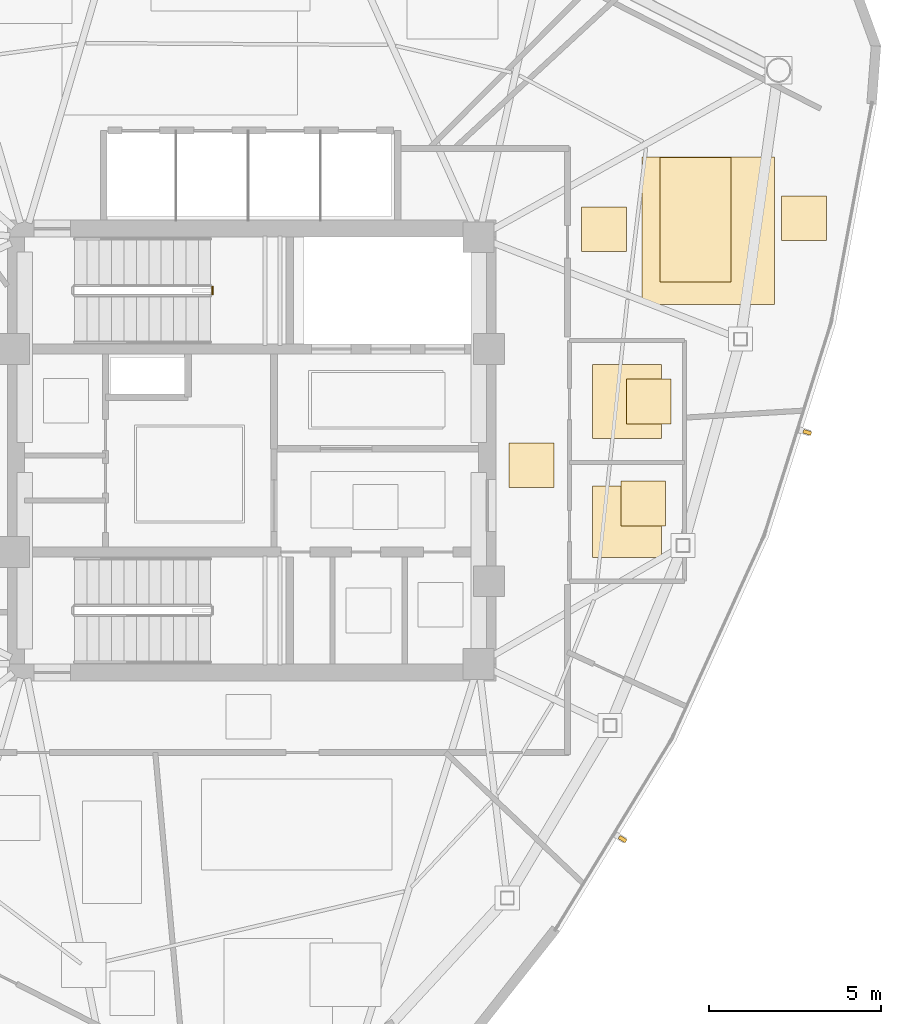
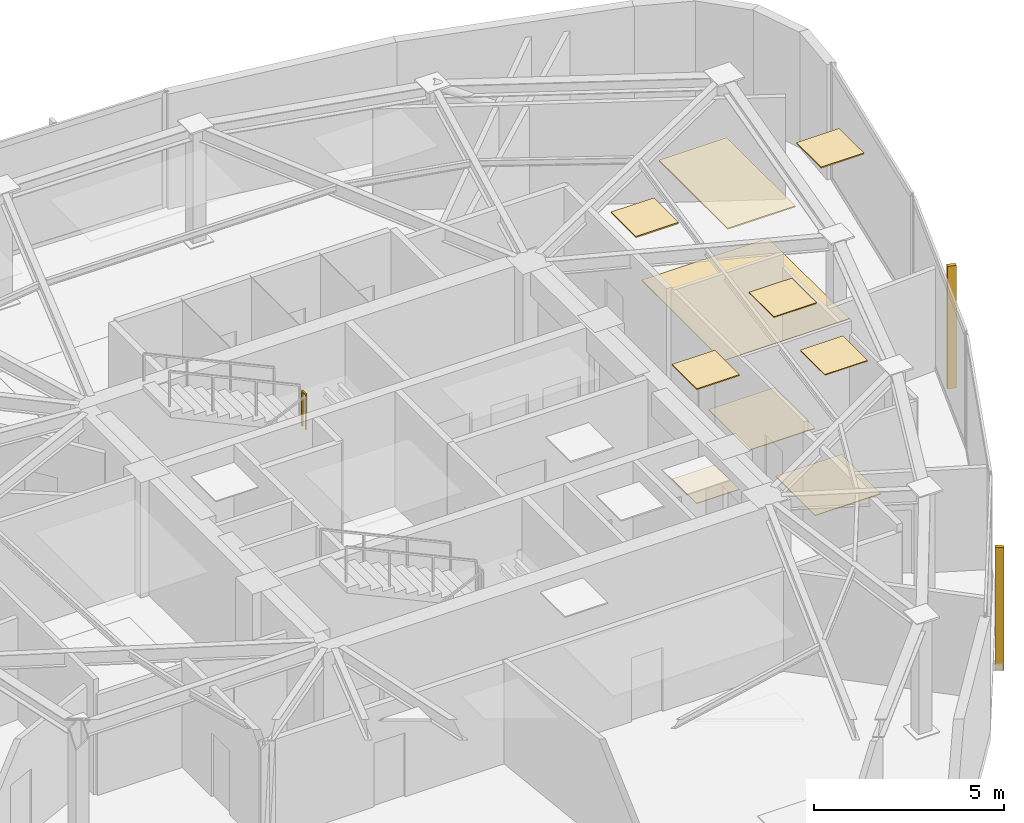
# One storey, part 12 of 13: 10 coverings, 2 shading devices, 1 railing.
"""IFC4 building model written with IfcOpenShell, lengths in metres."""

from ifc_helpers import new_model, si_unit, direction, frame, origin, origin_2d, place, context, subcontext, project, spatial, polyline, rectangle, outline, extrude, source, transform, mapped, material, layer, layer_set, type_object, type_shapes, element, save


model = new_model("IFC4")

# Units and contexts
model_context = context("Model", 3, precision=1e-05, world=origin(), true_north=direction((0.0, 1.0)))
body_context = subcontext(model_context, "Body", "Model", "MODEL_VIEW")
ifc_project = project(units=[si_unit("LENGTHUNIT", "METRE"), si_unit("AREAUNIT", "SQUARE_METRE"), si_unit("VOLUMEUNIT", "CUBIC_METRE"), si_unit("PLANEANGLEUNIT", "RADIAN"), si_unit("MASSUNIT", "GRAM", prefix="KILO")], contexts=[model_context])

# Site, building, storey
site_placement = place(None, origin())
site = spatial("IfcSite", under=ifc_project, at=site_placement, CompositionType="ELEMENT")
building_placement = place(site_placement, origin())
building = spatial("IfcBuilding", under=site, at=building_placement, Name="Tavelor Broadcast Tower", CompositionType="ELEMENT")
storey_placement = place(building_placement, frame((0.0, 0.0, 305.5)))
storey = spatial("IfcBuildingStorey", under=building, at=storey_placement, Name="L73", CompositionType="ELEMENT", Elevation=305.5)

# Coverings
ifc_material_1 = material(Name="Architectural Anodized Aluminium", Category="aluminium")
ifc_layer_1 = layer(ifc_material_1, 0.034912109375)
ifc_layer_set_1 = layer_set([ifc_layer_1], Name="Architectural Anodized Aluminium")
covering_type_1 = type_object("IfcCoveringType", Name="Demountable Metal Tile Corridor Ceiling 35 mm", PredefinedType="CEILING", material=ifc_layer_set_1)
covering_1_placement = place(storey_placement, frame((0.0, 0.0, 3.6650390625)))
element("IfcCovering", 1, at=covering_1_placement, inside=storey, type_object=covering_type_1, Name="L73 Suspended Acoustic Ceiling 2769", PredefinedType="CEILING", context=body_context, shape_type="SweptSolid", body=[
    extrude(outline(polyline([(57.489990234375, 43.925048828125), (58.7900390625, 43.925048828125), (58.7900390625, 45.22509765625), (57.489990234375, 45.22509765625), (57.489990234375, 43.925048828125)])), origin(), (0.0, 0.0, 1.0), 0.034912109375),
])
ifc_material_2 = material(Name="Acoustic Nylon Carpet Tile")
ifc_layer_2 = layer(ifc_material_2, 0.02001953125)
ifc_layer_set_2 = layer_set([ifc_layer_2], Name="Acoustic Nylon Carpet Tile")
covering_type_2 = type_object("IfcCoveringType", Name="Heavy-Duty Acoustic Broadcast Carpet Tile 20 mm", PredefinedType="FLOORING", material=ifc_layer_set_2)
covering_2_placement = place(storey_placement, origin())
element("IfcCovering", 2, at=covering_2_placement, inside=storey, type_object=covering_type_2, Name="L73 Broadcast Floor Finish 1087", PredefinedType="FLOORING", context=body_context, shape_type="SweptSolid", body=[
    extrude(outline(polyline([(57.489990234375, 43.925048828125), (58.7900390625, 43.925048828125), (58.7900390625, 45.22509765625), (57.489990234375, 45.22509765625), (57.489990234375, 43.925048828125)])), origin(), (0.0, 0.0, 1.0), 0.02001953125),
])
covering_3_placement = place(storey_placement, origin())
element("IfcCovering", 3, at=covering_3_placement, inside=storey, type_object=covering_type_2, Name="L73 Broadcast Floor Finish 1097", PredefinedType="FLOORING", context=body_context, shape_type="SweptSolid", body=[
    extrude(outline(polyline([(61.353515625, 49.24951171875), (65.205810546875, 49.24951171875), (65.205810546875, 53.528564453125), (61.353515625, 53.528564453125), (61.353515625, 49.24951171875)])), origin(), (0.0, 0.0, 1.0), 0.02001953125),
])
ifc_layer_3 = layer(ifc_material_1, 0.030029296875)
ifc_layer_set_3 = layer_set([ifc_layer_3], Name="Architectural Anodized Aluminium")
covering_type_3 = type_object("IfcCoveringType", Name="Moisture-Resistant Washroom Ceiling 30 mm", PredefinedType="CEILING", material=ifc_layer_set_3)
covering_4_placement = place(storey_placement, frame((0.0, 0.0, 3.669921875)))
element("IfcCovering", 4, at=covering_4_placement, inside=storey, type_object=covering_type_3, Name="L73 Suspended Acoustic Ceiling 2772", PredefinedType="CEILING", context=body_context, shape_type="SweptSolid", body=[
    extrude(outline(polyline([(60.739013671875, 42.806884765625), (62.0390625, 42.806884765625), (62.0390625, 44.106689453125), (60.739013671875, 44.106689453125), (60.739013671875, 42.806884765625)])), origin(), (0.0, 0.0, 1.0), 0.030029296875),
])
covering_5_placement = place(storey_placement, frame((0.0, 0.0, 3.669921875)))
element("IfcCovering", 5, at=covering_5_placement, inside=storey, type_object=covering_type_3, Name="L73 Suspended Acoustic Ceiling 2773", PredefinedType="CEILING", context=body_context, shape_type="SweptSolid", body=[
    extrude(outline(polyline([(60.898681640625, 45.77490234375), (62.19873046875, 45.77490234375), (62.19873046875, 47.074951171875), (60.898681640625, 47.074951171875), (60.898681640625, 45.77490234375)])), origin(), (0.0, 0.0, 1.0), 0.030029296875),
])
ifc_material_3 = material(Name="Slip-Resistant Porcelain Tile")
ifc_layer_4 = layer(ifc_material_3, 0.02490234375)
ifc_layer_set_4 = layer_set([ifc_layer_4], Name="Slip-Resistant Porcelain Tile")
covering_type_4 = type_object("IfcCoveringType", Name="Slip-Resistant Porcelain Wet-Area Floor Tile 25 mm", PredefinedType="FLOORING", material=ifc_layer_set_4)
covering_6_placement = place(storey_placement, origin())
element("IfcCovering", 6, at=covering_6_placement, inside=storey, type_object=covering_type_4, Name="L73 Broadcast Floor Finish 1089", PredefinedType="FLOORING", context=body_context, shape_type="SweptSolid", body=[
    extrude(outline(polyline([(59.91064453125, 41.885986328125), (61.909423828125, 41.885986328125), (61.909423828125, 43.964111328125), (59.91064453125, 43.964111328125), (59.91064453125, 41.885986328125)])), origin(), (0.0, 0.0, 1.0), 0.02490234375),
])
covering_7_placement = place(storey_placement, origin())
element("IfcCovering", 7, at=covering_7_placement, inside=storey, type_object=covering_type_4, Name="L73 Broadcast Floor Finish 1090", PredefinedType="FLOORING", context=body_context, shape_type="SweptSolid", body=[
    extrude(outline(polyline([(59.91064453125, 45.35009765625), (61.909423828125, 45.35009765625), (61.909423828125, 47.5), (59.91064453125, 47.5), (59.91064453125, 45.35009765625)])), origin(), (0.0, 0.0, 1.0), 0.02490234375),
])

# Railing
ifc_material_4 = material(Name="Steel S355", Category="steel")
railing_type = type_object("IfcRailingType", Name="Stairwell Steel Safety Guardrail 1150 mm", PredefinedType="GUARDRAIL", material=ifc_material_4)
railing_placement = place(storey_placement, frame((48.860107421875, 49.550048828125, 2.0)))
element("IfcRailing", 8, at=railing_placement, inside=storey, type_object=railing_type, Name="L73 ST1 stair guard 2", PredefinedType="GUARDRAIL", context=body_context, shape_type="SweptSolid", body=[
    extrude(rectangle(XDim=0.048095703125, YDim=0.048095703125, at=origin_2d()), frame((0.0, 0.0, 1.1259765625), z_axis=(0.0, 1.0, 0.0), x_axis=(-1.0, 0.0, 0.0)), (0.0, 0.0, 1.0), 0.199951171875),
    extrude(rectangle(XDim=0.0419921875, YDim=0.0419921875, at=origin_2d()), origin(), (0.0, 0.0, 1.0), 1.101806640625),
    extrude(rectangle(XDim=0.0419921875, YDim=0.0419921875, at=origin_2d()), frame((0.0, 0.199951171875, 0.0)), (0.0, 0.0, 1.0), 1.101806640625),
])

# Coverings
ifc_material_5 = material(Name="Acoustic Mineral Fibre Tile")
ifc_layer_5 = layer(ifc_material_5, 0.0400390625)
ifc_layer_set_5 = layer_set([ifc_layer_5], Name="Acoustic Mineral Fibre Tile")
covering_type_5 = type_object("IfcCoveringType", Name="Suspended Acoustic Mineral-Fibre Office Ceiling 40 mm", PredefinedType="CEILING", material=ifc_layer_set_5)
covering_8_placement = place(storey_placement, frame((0.0, 0.0, 3.659912109375)))
element("IfcCovering", 9, at=covering_8_placement, inside=storey, type_object=covering_type_5, Name="L73 Suspended Acoustic Ceiling 2789", PredefinedType="CEILING", context=body_context, shape_type="SweptSolid", body=[
    extrude(outline(polyline([(61.876220703125, 49.8955078125), (63.9375, 49.8955078125), (63.9375, 53.515380859375), (61.876220703125, 53.515380859375), (61.876220703125, 49.8955078125)])), origin(), (0.0, 0.0, 1.0), 0.0400390625),
])
covering_9_placement = place(storey_placement, frame((0.0, 0.0, 3.659912109375)))
element("IfcCovering", 10, at=covering_9_placement, inside=storey, type_object=covering_type_5, Name="L73 Suspended Acoustic Ceiling 2790", PredefinedType="CEILING", context=body_context, shape_type="SweptSolid", body=[
    extrude(outline(polyline([(65.411865234375, 51.099853515625), (66.7119140625, 51.099853515625), (66.7119140625, 52.39990234375), (65.411865234375, 52.39990234375), (65.411865234375, 51.099853515625)])), origin(), (0.0, 0.0, 1.0), 0.0400390625),
])
covering_10_placement = place(storey_placement, frame((0.0, 0.0, 3.659912109375)))
element("IfcCovering", 11, at=covering_10_placement, inside=storey, type_object=covering_type_5, Name="L73 Suspended Acoustic Ceiling 2791", PredefinedType="CEILING", context=body_context, shape_type="SweptSolid", body=[
    extrude(outline(polyline([(59.596435546875, 50.781494140625), (60.896484375, 50.781494140625), (60.896484375, 52.08154296875), (59.596435546875, 52.08154296875), (59.596435546875, 50.781494140625)])), origin(), (0.0, 0.0, 1.0), 0.0400390625),
])

# Shading devices
ifc_material_6 = material(Name="Kiln-Fired Glazed Terracotta", Category="masonry")
shading_device_type = type_object("IfcShadingDeviceType", Name="Extruded Terracotta Baguette Sun-Screen 110x240", PredefinedType="JALOUSIE", material=ifc_material_6)
shared_shape = source(origin(), body_context, "Body", "SweptSolid", [
    extrude(rectangle(XDim=0.110107421875, YDim=0.239990234375, at=origin_2d()), origin(), (0.0, 0.0, 1.0), 3.93994140625),
])
type_shapes(shading_device_type, [shared_shape])
for number, where, z_axis, x_axis, name in (
    (12, (60.784912109375, 33.70361328125, -0.260009765625), (0.0, 0.0, 1.0), (0.52071165467, 0.853732611941, 0.0), "L73 Terracotta Baguette Fin 711"),
    (13, (66.154296875, 45.527099609375, -0.260009765625), (0.0, 0.0, 1.0), (0.300206393279, 0.953874269196, 0.0), "L73 Terracotta Baguette Fin 712"),
):
    element("IfcShadingDevice", number, at=place(storey_placement, frame(where, z_axis=z_axis, x_axis=x_axis)), inside=storey, type_object=shading_device_type, Name=name, PredefinedType="JALOUSIE", context=body_context, shape_type="MappedRepresentation", body=[
        mapped(shared_shape, transform((0.0, 0.0, 0.0), scale=1.0)),
    ])

save(model, "model.ifc")
